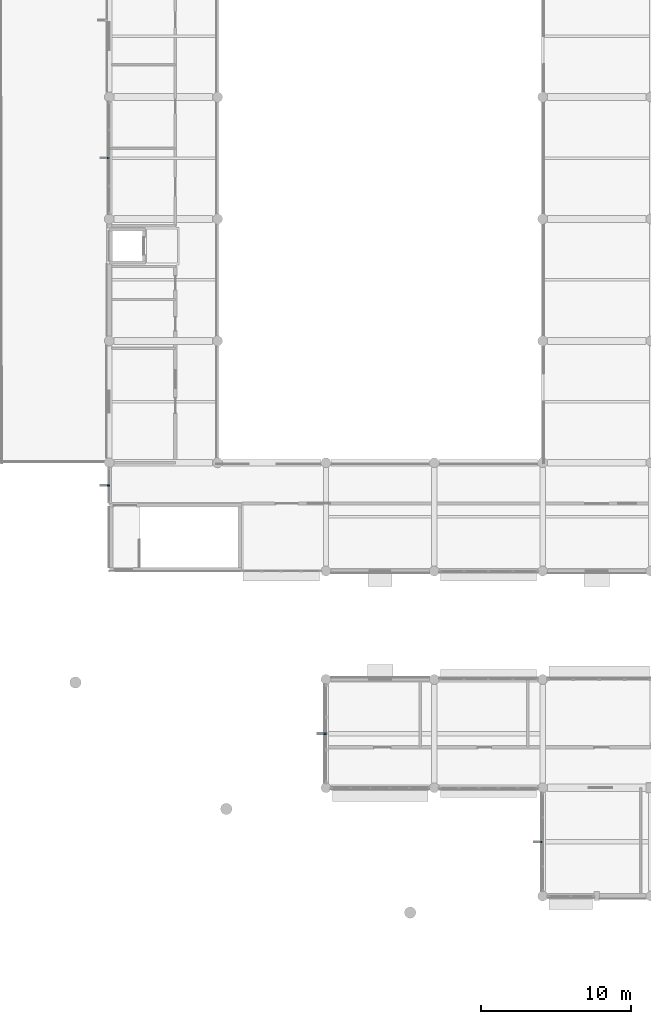
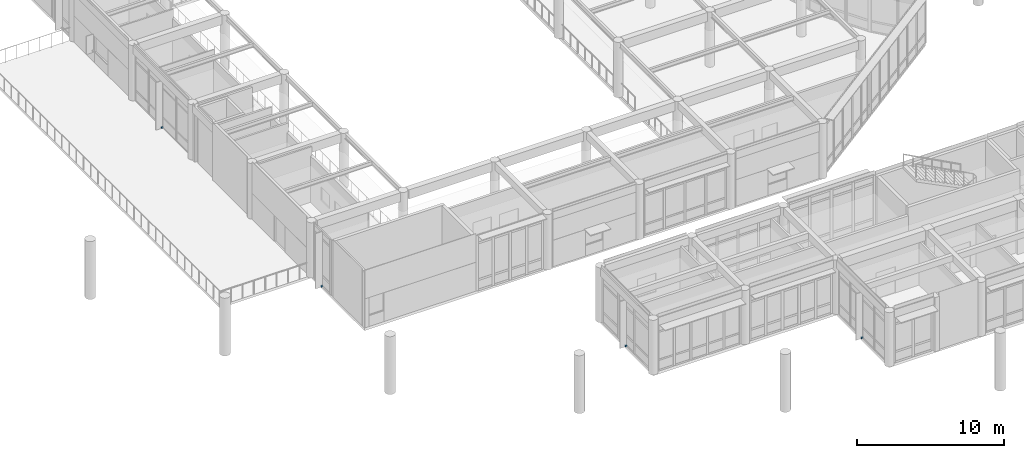
# One storey, part 56 of 92: 4 discrete accessories.
"""IFC4 building model written with IfcOpenShell, lengths in metres."""

import ifcopenshell
import ifcopenshell.guid

model = None  # the IFC model being written
_history = None  # IfcOwnerHistory: only IFC2X3 demands one
_inside = {}  # id of a spatial element -> (the spatial element, [elements in it])
_under = {}  # id of a project, library or spatial element -> (it, [spatial elements below it])
_declared = {}  # id of a project -> (the project, [libraries it declares])
_typed = {}  # id of a type object -> (the type object, [elements of that type])
_made_of = {}  # id of a material, layer set ... -> (it, [elements and type objects made of it])


def new_model(schema):
    """Start an empty IFC model of exactly this schema.

    Asked for "IFC4X3", IfcOpenShell would pick the latest addendum, in which some entities
    have other attributes; the version numbers below select the first issue.
    IFC2X3 requires an IfcOwnerHistory on every rooted entity: one is made here for all.
    """
    global model, _history
    if schema == "IFC4X3":
        model = ifcopenshell.file(schema_version=(4, 3, 0, 0))
    else:
        model = ifcopenshell.file(schema=schema)
    _inside.clear()
    _under.clear()
    _declared.clear()
    _typed.clear()
    _made_of.clear()
    _history = None
    if model.schema == "IFC2X3":
        org = make("IfcOrganization", Name="unknown")
        user = make(
            "IfcPersonAndOrganization",
            ThePerson=make("IfcPerson", FamilyName="unknown"),
            TheOrganization=org,
        )
        app = make(
            "IfcApplication",
            ApplicationDeveloper=org,
            Version="unknown",
            ApplicationFullName="unknown",
            ApplicationIdentifier="unknown",
        )
        _history = make(
            "IfcOwnerHistory",
            OwningUser=user,
            OwningApplication=app,
            ChangeAction="ADDED",
            CreationDate=0,
        )
    return model


def make(cls, **values):
    """One entity of the class cls with the attributes given. An attribute that is None is left unset."""
    return model.create_entity(
        cls, **{name: value for name, value in values.items() if value is not None}
    )


def rooted(cls, **values):
    """An entity with a GlobalId (a new one), such as an element, a storey or a relation."""
    return make(cls, GlobalId=ifcopenshell.guid.new(), OwnerHistory=_history, **values)


def si_unit(unit_type, name, prefix=None):
    """IfcSIUnit, for example si_unit("LENGTHUNIT", "METRE", prefix="MILLI")."""
    return make("IfcSIUnit", UnitType=unit_type, Prefix=prefix, Name=name)


def assignment(units):
    """IfcUnitAssignment: the units of a project."""
    return None if units is None else make("IfcUnitAssignment", Units=units)


def point(xyz):
    """IfcCartesianPoint."""
    return None if xyz is None else make("IfcCartesianPoint", Coordinates=xyz)


def direction(xyz):
    """IfcDirection."""
    return None if xyz is None else make("IfcDirection", DirectionRatios=xyz)


def frame(location, z_axis=None, x_axis=None):
    """IfcAxis2Placement3D, a coordinate frame: its origin and axes. An axis left out is left unset."""
    return make(
        "IfcAxis2Placement3D",
        Location=point(location),
        Axis=direction(z_axis),
        RefDirection=direction(x_axis),
    )


def frame_2d(location, x_axis=None):
    """IfcAxis2Placement2D, a coordinate frame in the plane: its origin and x axis."""
    return make(
        "IfcAxis2Placement2D", Location=point(location), RefDirection=direction(x_axis)
    )


def origin():
    """The frame at (0, 0, 0) with its axes left unset."""
    return frame((0.0, 0.0, 0.0))


def origin_2d():
    """The frame at (0, 0) in the plane with its x axis left unset."""
    return frame_2d((0.0, 0.0))


def place(relative_to, where):
    """IfcLocalPlacement: puts the frame where relative to a parent placement (None: the world)."""
    return make(
        "IfcLocalPlacement", PlacementRelTo=relative_to, RelativePlacement=where
    )


def context(
    kind, dimensions, precision=None, world=None, true_north=None, identifier=None
):
    """IfcGeometricRepresentationContext, for example the 3D "Model" context."""
    return make(
        "IfcGeometricRepresentationContext",
        ContextIdentifier=identifier,
        ContextType=kind,
        CoordinateSpaceDimension=dimensions,
        Precision=precision,
        WorldCoordinateSystem=world,
        TrueNorth=true_north,
    )


def subcontext(parent, identifier, kind, view, scale=None):
    """IfcGeometricRepresentationSubContext, for example "Body" below "Model"."""
    return make(
        "IfcGeometricRepresentationSubContext",
        ContextIdentifier=identifier,
        ContextType=kind,
        ParentContext=parent,
        TargetScale=scale,
        TargetView=view,
    )


def project(units=None, contexts=None):
    """IfcProject with its units and contexts."""
    return rooted(
        "IfcProject",
        Name="project",
        RepresentationContexts=contexts,
        UnitsInContext=assignment(units),
    )


def spatial(cls, under=None, at=None, **own):
    """A site, building, storey or space (cls), placed at a placement, below another one or the project."""
    s = rooted(cls, ObjectPlacement=at, **own)
    if under is not None:
        _under.setdefault(under.id(), (under, []))[1].append(s)
    return s


def profile(cls, at=None, kind="AREA", **sizes):
    """A parametric profile (cls). Its sizes go by their IFC names, for example OverallWidth=200.0."""
    return make(cls, ProfileType=kind, Position=at, **sizes)


def rectangle(**sizes):
    """IfcRectangleProfileDef."""
    return profile("IfcRectangleProfileDef", **sizes)


def extrude(swept, where, along, depth):
    """IfcExtrudedAreaSolid: the profile swept, set in the frame where, extruded along a direction by depth."""
    return make(
        "IfcExtrudedAreaSolid",
        SweptArea=swept,
        Position=where,
        ExtrudedDirection=direction(along),
        Depth=depth,
    )


def shape(context_of_items, identifier, shape_type, items):
    """IfcShapeRepresentation: the items that make up one representation, for example the "Body"."""
    return make(
        "IfcShapeRepresentation",
        ContextOfItems=context_of_items,
        RepresentationIdentifier=identifier,
        RepresentationType=shape_type,
        Items=items,
    )


def material(Name=None, Category=None):
    """IfcMaterial."""
    return make("IfcMaterial", Name=Name, Category=Category)


def made_of(thing, what):
    """Note that an element or type object is made of a material, layer set ...; save() writes the relation."""
    if what is not None:
        _made_of.setdefault(what.id(), (what, []))[1].append(thing)
    return thing


def type_object(cls, material=None, **own):
    """A type object (cls), such as IfcWallType, which elements share."""
    return made_of(rooted(cls, **own), material)


def element(
    cls,
    number,
    at=None,
    inside=None,
    cuts=None,
    type_object=None,
    material=None,
    context=None,
    identifier="Body",
    shape_type=None,
    held_by="IfcProductDefinitionShape",
    body=None,
    shapes=None,
    **own,
):
    """One element of the class cls, such as IfcWall. Its Tag is "e" and its number.

    at: its placement. inside: the storey or other place that contains it. cuts: it is an
    opening in that element (IfcRelVoidsElement). A single representation is given by context,
    identifier, shape_type and body (its items); several are given by shapes. held_by: the class
    of the entity that holds the representations. save() writes the other relations.
    """
    e = rooted(cls, Tag="e%d" % number, ObjectPlacement=at, **own)
    if body is not None:
        shapes = [shape(context, identifier, shape_type, body)]
    if shapes is not None:
        e.Representation = make(held_by, Representations=shapes)
    if inside is not None:
        _inside.setdefault(inside.id(), (inside, []))[1].append(e)
    if cuts is not None:
        rooted(
            "IfcRelVoidsElement", RelatingBuildingElement=cuts, RelatedOpeningElement=e
        )
    if type_object is not None:
        _typed.setdefault(type_object.id(), (type_object, []))[1].append(e)
    return made_of(e, material)


def aggregate(whole, parts):
    """IfcRelAggregates: a whole, such as a stair, and the parts it consists of."""
    return rooted("IfcRelAggregates", RelatingObject=whole, RelatedObjects=parts)


def save(model, path):
    """Write the relations noted so far, then the file.

    IfcRelAggregates (storeys below a building ...), IfcRelContainedInSpatialStructure (elements
    in a storey), IfcRelDefinesByType, IfcRelAssociatesMaterial and IfcRelDeclares: one each for
    every whole, place, type object, material and project.
    """
    for whole, parts in _under.values():
        aggregate(whole, parts)
    for where, things in _inside.values():
        rooted(
            "IfcRelContainedInSpatialStructure",
            RelatedElements=things,
            RelatingStructure=where,
        )
    for kind, things in _typed.values():
        rooted("IfcRelDefinesByType", RelatedObjects=things, RelatingType=kind)
    for what, things in _made_of.values():
        rooted("IfcRelAssociatesMaterial", RelatedObjects=things, RelatingMaterial=what)
    for by, libraries in _declared.values():
        rooted("IfcRelDeclares", RelatingContext=by, RelatedDefinitions=libraries)
    model.write(path)


model = new_model("IFC4")

# Units and contexts
model_context = context("Model", 3, precision=1e-05, world=origin(), true_north=direction((0.0, 1.0)))
body_context = subcontext(model_context, "Body", "Model", "MODEL_VIEW")
ifc_project = project(units=[si_unit("LENGTHUNIT", "METRE"), si_unit("AREAUNIT", "SQUARE_METRE"), si_unit("VOLUMEUNIT", "CUBIC_METRE"), si_unit("PLANEANGLEUNIT", "RADIAN"), si_unit("MASSUNIT", "GRAM", prefix="KILO")], contexts=[model_context])

# Site, building, storey
site_placement = place(None, origin())
site = spatial("IfcSite", under=ifc_project, at=site_placement, CompositionType="ELEMENT")
building_placement = place(site_placement, origin())
building = spatial("IfcBuilding", under=site, at=building_placement, Name="Namkhue Oval Health Centre", CompositionType="ELEMENT")
storey_placement = place(building_placement, frame((0.0, 0.0, 4.800048828125)))
storey = spatial("IfcBuildingStorey", under=building, at=storey_placement, Name="L01", CompositionType="ELEMENT", Elevation=4.800048828125)

# Discrete accessories
ifc_material = material(Name="Structural steel S355JR (TCVN CCT38)", Category="steel")
discrete_accessory_type = type_object("IfcDiscreteAccessoryType", Name="FACADE SHADING BRACKET", PredefinedType="BRACKET", material=ifc_material)
for number, where, z_axis, x_axis, name in (
    (1, (21.5400390625, 63.449951171875, 0.0), (0.0, 0.0, 1.0), (-1.0, 0.0, 0.0), "Solar Fin Bracket 43"),
    (2, (21.5400390625, 41.69091796875, 0.0), (0.0, 0.0, 1.0), (-1.0, 0.0, 0.0), "Solar Fin Bracket 44"),
    (3, (35.93994140625, 25.199951171875, 0.0), (0.0, 0.0, 1.0), (-1.0, 0.0, 0.0), "Solar Fin Bracket 211"),
    (4, (50.340087890625, 18.0, 0.0), (0.0, 0.0, 1.0), (-1.0, 0.0, 0.0), "Solar Fin Bracket 214"),
):
    element("IfcDiscreteAccessory", number, at=place(storey_placement, frame(where, z_axis=z_axis, x_axis=x_axis)), inside=storey, type_object=discrete_accessory_type, Name=name, PredefinedType="BRACKET", context=body_context, shape_type="SweptSolid", body=[
        extrude(rectangle(XDim=0.159912109375, YDim=0.1201171875, at=origin_2d()), origin(), (0.0, 0.0, 1.0), 0.1201171875),
    ])

save(model, "model.ifc")
